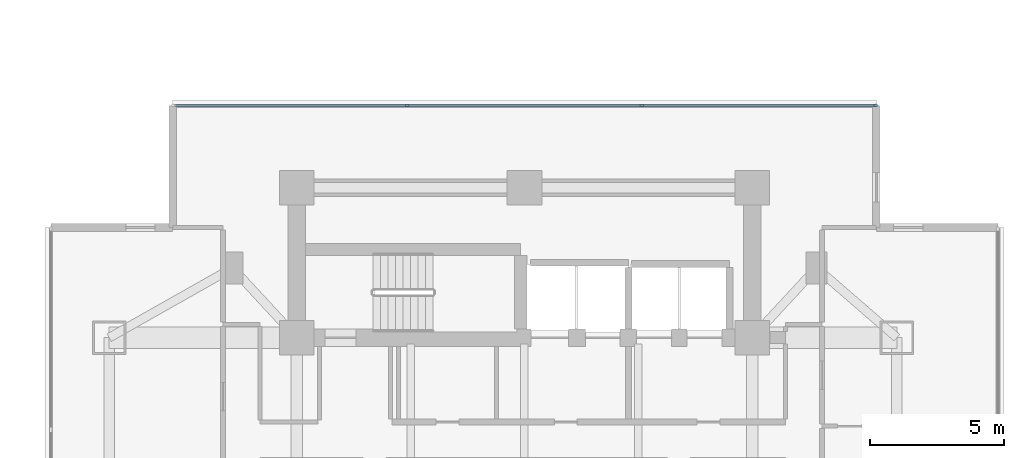
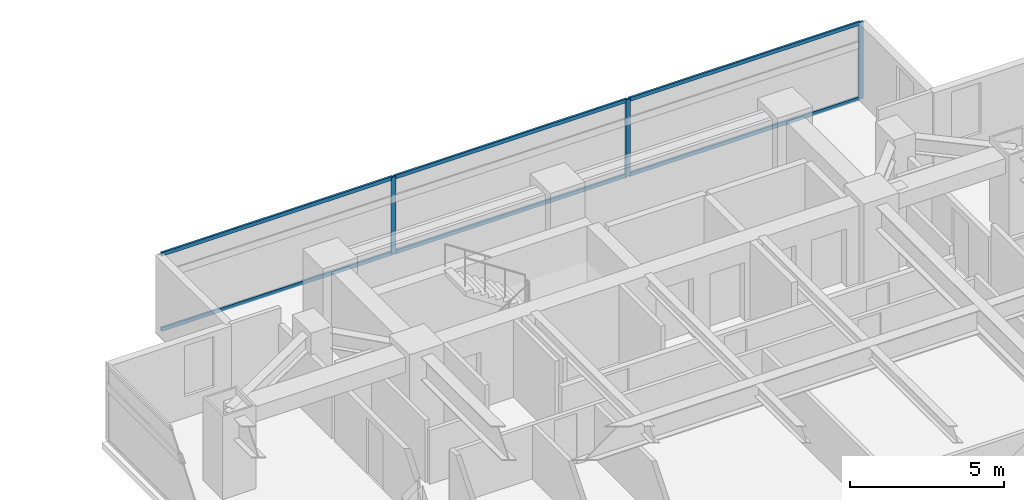
# One storey, part 11 of 27: 9 members, 1 element without a shape of its own.
"""IFC4 building model written with IfcOpenShell, lengths in metres."""

from ifc_helpers import new_model, si_unit, direction, frame, origin, origin_2d, place, context, subcontext, project, spatial, rectangle, extrude, material, material_profile, profile_set, type_object, element, aggregate, save


model = new_model("IFC4")

# Units and contexts
model_context = context("Model", 3, precision=1e-05, world=origin(), true_north=direction((0.0, 1.0)))
body_context = subcontext(model_context, "Body", "Model", "MODEL_VIEW")
ifc_project = project(units=[si_unit("LENGTHUNIT", "METRE"), si_unit("AREAUNIT", "SQUARE_METRE"), si_unit("VOLUMEUNIT", "CUBIC_METRE"), si_unit("PLANEANGLEUNIT", "RADIAN"), si_unit("MASSUNIT", "GRAM", prefix="KILO")], contexts=[model_context])

# Site, building, storey
site_placement = place(None, origin())
site = spatial("IfcSite", under=ifc_project, at=site_placement, CompositionType="ELEMENT")
building_placement = place(site_placement, origin())
building = spatial("IfcBuilding", under=site, at=building_placement, Name="Mirazonda Arch Towers", CompositionType="ELEMENT")
storey_placement = place(building_placement, frame((0.0, 0.0, 55.39990234375)))
storey = spatial("IfcBuildingStorey", under=building, at=storey_placement, Name="L15", CompositionType="ELEMENT", Elevation=55.39990234375)

# Curtain wall, members
ifc_material_1 = material(Name="Anodised Aluminium and Low-E Glass", Category="aluminium")
curtain_wall_type = type_object("IfcCurtainWallType", Name="CW-HTL-UNIT", PredefinedType="NOTDEFINED", material=ifc_material_1)
curtain_wall_placement = place(storey_placement, origin())
curtain_wall = element("IfcCurtainWall", 1, at=curtain_wall_placement, inside=storey, type_object=curtain_wall_type, Name="L15 T2 N Facade CW-L15-T2-N", PredefinedType="NOTDEFINED")
ifc_material_2 = material(Name="Anodised Aluminium Alloy", Category="aluminium")
ifc_material_profile_1 = material_profile(ifc_material_2, rectangle(XDim=0.074951171875, YDim=0.1650390625, at=origin_2d()), Name="ALU-MULL-75x165")
ifc_profile_set_1 = profile_set([ifc_material_profile_1], Name="Anodised Aluminium Alloy")
member_type_1 = type_object("IfcMemberType", Name="MULL-CW-HTL-UNIT", PredefinedType="MULLION", material=ifc_profile_set_1)
member_1_placement = place(storey_placement, frame((72.12255859375, 43.859375, 0.0), z_axis=(0.0, 0.0, 1.0), x_axis=(0.0, 1.0, 0.0)))
member_1 = element("IfcMember", 2, at=member_1_placement, type_object=member_type_1, Name="CW-112 mullion 2", PredefinedType="MULLION", context=body_context, shape_type="SweptSolid", body=[
    extrude(rectangle(XDim=0.074951171875, YDim=0.1650390625, at=origin_2d()), origin(), (0.0, 0.0, 1.0), 3.0400390625),
])
member_2_placement = place(storey_placement, frame((80.87744140625, 43.859375, 0.0), z_axis=(0.0, 0.0, 1.0), x_axis=(0.0, 1.0, 0.0)))
member_2 = element("IfcMember", 3, at=member_2_placement, type_object=member_type_1, Name="CW-112 mullion 3", PredefinedType="MULLION", context=body_context, shape_type="SweptSolid", body=[
    extrude(rectangle(XDim=0.074951171875, YDim=0.1650390625, at=origin_2d()), origin(), (0.0, 0.0, 1.0), 3.0400390625),
])
member_3_placement = place(storey_placement, frame((89.594482421875, 43.859375, 0.0), z_axis=(0.0, 0.0, 1.0), x_axis=(0.0, 1.0, 0.0)))
member_3 = element("IfcMember", 4, at=member_3_placement, type_object=member_type_1, Name="CW-112 mullion 4", PredefinedType="MULLION", context=body_context, shape_type="SweptSolid", body=[
    extrude(rectangle(XDim=0.074951171875, YDim=0.1650390625, at=origin_2d()), origin(), (0.0, 0.0, 1.0), 3.0400390625),
])
ifc_material_profile_2 = material_profile(ifc_material_2, rectangle(XDim=0.074951171875, YDim=0.14501953125, at=origin_2d()), Name="ALU-TRAN-75x145")
ifc_profile_set_2 = profile_set([ifc_material_profile_2], Name="Anodised Aluminium Alloy")
member_type_2 = type_object("IfcMemberType", Name="TRAN-CW-HTL-UNIT", PredefinedType="USERDEFINED", material=ifc_profile_set_2)
member_4_placement = place(storey_placement, frame((63.443115234375, 43.859375, 0.03759765625), z_axis=(1.0, 0.0, 0.0), x_axis=(0.0, 1.0, 0.0)))
member_4 = element("IfcMember", 5, at=member_4_placement, type_object=member_type_2, Name="CW-112 transom 1.1", ObjectType="TRANSOM", PredefinedType="USERDEFINED", context=body_context, shape_type="SweptSolid", body=[
    extrude(rectangle(XDim=0.074951171875, YDim=0.14501953125, at=origin_2d()), origin(), (0.0, 0.0, 1.0), 8.64208984375),
])
member_5_placement = place(storey_placement, frame((63.443115234375, 43.859375, 3.002685546875), z_axis=(1.0, 0.0, 0.0), x_axis=(0.0, 1.0, 0.0)))
member_5 = element("IfcMember", 6, at=member_5_placement, type_object=member_type_2, Name="CW-112 transom 1.2", ObjectType="TRANSOM", PredefinedType="USERDEFINED", context=body_context, shape_type="SweptSolid", body=[
    extrude(rectangle(XDim=0.074951171875, YDim=0.14501953125, at=origin_2d()), origin(), (0.0, 0.0, 1.0), 8.64208984375),
])
member_6_placement = place(storey_placement, frame((72.16015625, 43.859375, 0.03759765625), z_axis=(1.0, 0.0, 0.0), x_axis=(0.0, 1.0, 0.0)))
member_6 = element("IfcMember", 7, at=member_6_placement, type_object=member_type_2, Name="CW-112 transom 2.1", ObjectType="TRANSOM", PredefinedType="USERDEFINED", context=body_context, shape_type="SweptSolid", body=[
    extrude(rectangle(XDim=0.074951171875, YDim=0.14501953125, at=origin_2d()), origin(), (0.0, 0.0, 1.0), 8.6796875),
])
member_7_placement = place(storey_placement, frame((72.16015625, 43.859375, 3.002685546875), z_axis=(1.0, 0.0, 0.0), x_axis=(0.0, 1.0, 0.0)))
member_7 = element("IfcMember", 8, at=member_7_placement, type_object=member_type_2, Name="CW-112 transom 2.2", ObjectType="TRANSOM", PredefinedType="USERDEFINED", context=body_context, shape_type="SweptSolid", body=[
    extrude(rectangle(XDim=0.074951171875, YDim=0.14501953125, at=origin_2d()), origin(), (0.0, 0.0, 1.0), 8.6796875),
])
member_8_placement = place(storey_placement, frame((80.914794921875, 43.859375, 0.03759765625), z_axis=(1.0, 0.0, 0.0), x_axis=(0.0, 1.0, 0.0)))
member_8 = element("IfcMember", 9, at=member_8_placement, type_object=member_type_2, Name="CW-112 transom 3.1", ObjectType="TRANSOM", PredefinedType="USERDEFINED", context=body_context, shape_type="SweptSolid", body=[
    extrude(rectangle(XDim=0.074951171875, YDim=0.14501953125, at=origin_2d()), origin(), (0.0, 0.0, 1.0), 8.64208984375),
])
member_9_placement = place(storey_placement, frame((80.914794921875, 43.859375, 3.002685546875), z_axis=(1.0, 0.0, 0.0), x_axis=(0.0, 1.0, 0.0)))
member_9 = element("IfcMember", 10, at=member_9_placement, type_object=member_type_2, Name="CW-112 transom 3.2", ObjectType="TRANSOM", PredefinedType="USERDEFINED", context=body_context, shape_type="SweptSolid", body=[
    extrude(rectangle(XDim=0.074951171875, YDim=0.14501953125, at=origin_2d()), origin(), (0.0, 0.0, 1.0), 8.64208984375),
])
aggregate(curtain_wall, [member_1, member_2, member_3, member_4, member_5, member_6, member_7, member_8, member_9])

save(model, "model.ifc")
